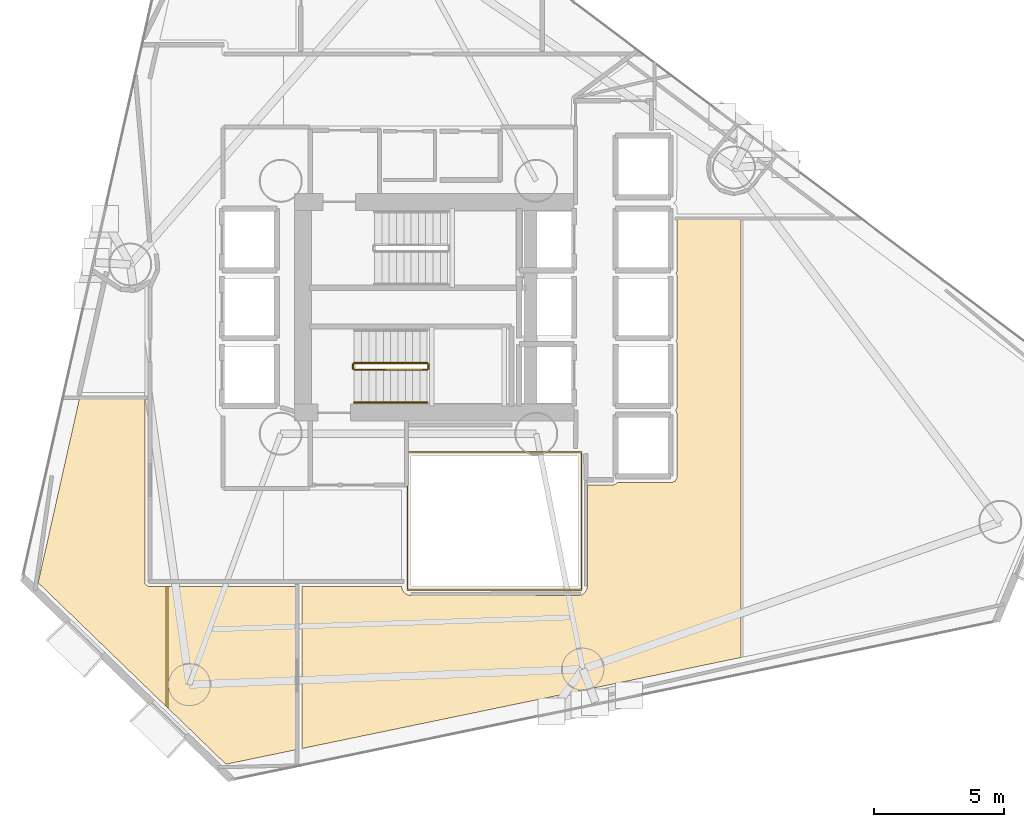
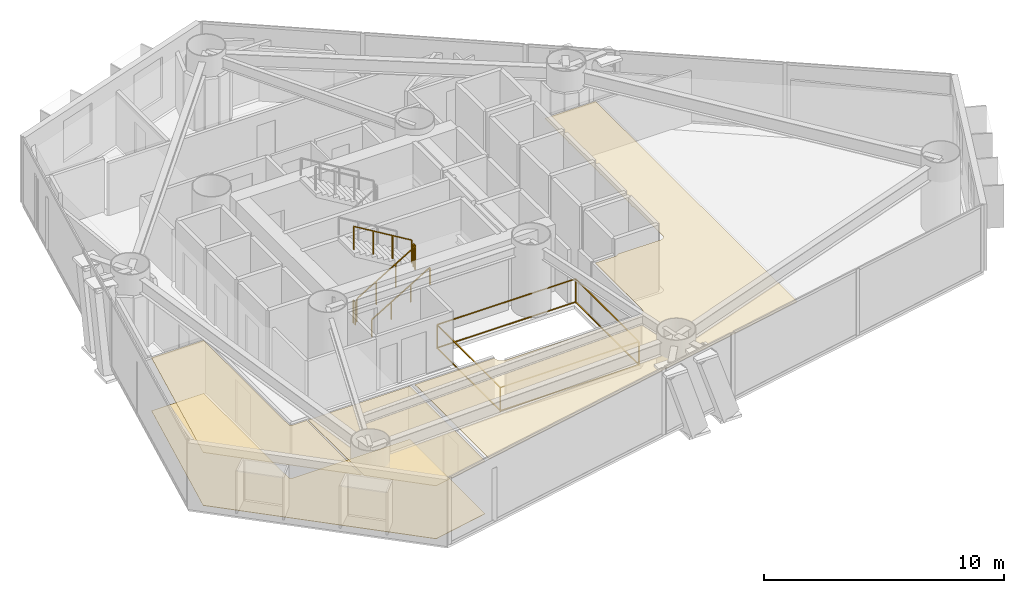
# One storey, part 19 of 22: 6 railings, 4 coverings.
"""IFC4 building model written with IfcOpenShell, lengths in metres."""

from ifc_helpers import new_model, si_unit, direction, frame, origin, origin_2d, place, context, subcontext, project, spatial, polyline, rectangle, outline, extrude, material, layer, layer_set, type_object, element, save


model = new_model("IFC4")

# Units and contexts
model_context = context("Model", 3, precision=1e-05, world=origin(), true_north=direction((0.0, 1.0)))
body_context = subcontext(model_context, "Body", "Model", "MODEL_VIEW")
ifc_project = project(units=[si_unit("LENGTHUNIT", "METRE"), si_unit("AREAUNIT", "SQUARE_METRE"), si_unit("VOLUMEUNIT", "CUBIC_METRE"), si_unit("PLANEANGLEUNIT", "RADIAN"), si_unit("MASSUNIT", "GRAM", prefix="KILO")], contexts=[model_context])

# Site, building, storey
site_placement = place(None, origin())
site = spatial("IfcSite", under=ifc_project, at=site_placement, CompositionType="ELEMENT")
building_placement = place(site_placement, origin())
building = spatial("IfcBuilding", under=site, at=building_placement, Name="Qianvela Tower", CompositionType="ELEMENT")
storey_placement = place(building_placement, frame((0.0, 0.0, 89.5)))
storey = spatial("IfcBuildingStorey", under=building, at=storey_placement, Name="L22", CompositionType="ELEMENT", Elevation=89.5)

# Coverings
ifc_material_1 = material(Name="Perforated Mineral Acoustic Ceiling Tile")
ifc_layer_1 = layer(ifc_material_1, 0.02490234375)
ifc_layer_set_1 = layer_set([ifc_layer_1], Name="Perforated Mineral Acoustic Ceiling Tile")
covering_type_1 = type_object("IfcCoveringType", Name="COV-CEIL-ACOUSTIC-25", PredefinedType="CEILING", material=ifc_layer_set_1)
covering_1_placement = place(storey_placement, frame((0.0, 0.0, 2.695068359375)))
element("IfcCovering", 1, at=covering_1_placement, inside=storey, type_object=covering_type_1, Name="L22 Acoustic Ceiling Bay 1 Quiet Desk Workspace L22-01", PredefinedType="CEILING", context=body_context, shape_type="SweptSolid", body=[
    extrude(outline(polyline([(23.396484375, 18.111572265625), (23.397705078125, 18.103759765625), (23.3994140625, 18.09619140625), (23.402099609375, 18.088623046875), (23.405517578125, 18.08154296875), (23.40966796875, 18.074951171875), (23.414306640625, 18.068603515625), (23.41943359375, 18.062744140625), (23.42529296875, 18.0576171875), (23.431640625, 18.052978515625), (23.505615234375, 18.00341796875), (23.51220703125, 17.99951171875), (23.519287109375, 17.99609375), (23.52685546875, 17.993408203125), (23.534423828125, 17.991455078125), (23.542236328125, 17.990478515625), (23.550048828125, 17.989990234375), (24.19775390625, 17.989990234375), (24.19775390625, 13.39599609375), (19.29541015625, 18.13427734375), (20.875, 25.177978515625), (23.39013671875, 25.177978515625), (23.39599609375, 18.119384765625), (23.396484375, 18.111572265625)])), origin(), (0.0, 0.0, 1.0), 0.02490234375),
])
covering_2_placement = place(storey_placement, frame((0.0, 0.0, 2.695068359375)))
element("IfcCovering", 2, at=covering_2_placement, inside=storey, type_object=covering_type_1, Name="L22 Acoustic Ceiling Bay 2 Quiet Desk Workspace L22-01", PredefinedType="CEILING", context=body_context, shape_type="SweptSolid", body=[
    extrude(outline(polyline([(29.177978515625, 17.989990234375), (29.177978515625, 11.725830078125), (26.500244140625, 11.170654296875), (24.277587890625, 13.31884765625), (24.277587890625, 17.989990234375), (29.177978515625, 17.989990234375)])), origin(), (0.0, 0.0, 1.0), 0.02490234375),
])
covering_3_placement = place(storey_placement, frame((0.0, 0.0, 2.695068359375)))
element("IfcCovering", 3, at=covering_3_placement, inside=storey, type_object=covering_type_1, Name="L22 Acoustic Ceiling Bay 1 Academic Cellular Office L22-02", PredefinedType="CEILING", context=body_context, shape_type="SweptSolid", body=[
    extrude(outline(polyline([(33.252197265625, 17.912353515625), (33.25341796875, 17.904296875), (33.25537109375, 17.896240234375), (33.258056640625, 17.888427734375), (33.261474609375, 17.881103515625), (33.31298828125, 17.78466796875), (33.31689453125, 17.77783203125), (33.32177734375, 17.771484375), (33.326904296875, 17.765869140625), (33.332763671875, 17.760498046875), (33.417236328125, 17.691162109375), (33.42431640625, 17.68603515625), (33.431884765625, 17.681640625), (33.440185546875, 17.677978515625), (33.448486328125, 17.675537109375), (33.58056640625, 17.642333984375), (33.5869140625, 17.64111328125), (33.593505859375, 17.640380859375), (33.60009765625, 17.639892578125), (40.0, 17.639892578125), (40.0078125, 17.640380859375), (40.015625, 17.6416015625), (40.122802734375, 17.662841796875), (40.13037109375, 17.664794921875), (40.1376953125, 17.66748046875), (40.14501953125, 17.6708984375), (40.151611328125, 17.6748046875), (40.242431640625, 17.735595703125), (40.248779296875, 17.740234375), (40.254638671875, 17.745361328125), (40.259765625, 17.751220703125), (40.264404296875, 17.757568359375), (40.3251953125, 17.848388671875), (40.3291015625, 17.85498046875), (40.33251953125, 17.8623046875), (40.335205078125, 17.86962890625), (40.337158203125, 17.877197265625), (40.3583984375, 17.984375), (40.359619140625, 17.9921875), (40.360107421875, 18.0), (40.360107421875, 21.889892578125), (41.367919921875, 21.890380859375), (41.375732421875, 21.890869140625), (41.383544921875, 21.891845703125), (41.39111328125, 21.893798828125), (41.3984375, 21.896484375), (41.405517578125, 21.89990234375), (41.45947265625, 21.9287109375), (41.46630859375, 21.932861328125), (41.472900390625, 21.9375), (41.478759765625, 21.943115234375), (41.48388671875, 21.948974609375), (41.48876953125, 21.955322265625), (41.492919921875, 21.96240234375), (41.49609375, 21.969482421875), (41.498779296875, 21.97705078125), (41.49951171875, 21.97998046875), (43.59375, 21.980712890625), (43.6015625, 21.981201171875), (43.609375, 21.982177734375), (43.616943359375, 21.984130859375), (43.624267578125, 21.98681640625), (43.699462890625, 22.017822265625), (43.70703125, 22.021484375), (43.71435546875, 22.02587890625), (43.72119140625, 22.03125), (43.727294921875, 22.037109375), (43.732666015625, 22.043701171875), (43.7373046875, 22.05078125), (43.785888671875, 22.131591796875), (43.7900390625, 22.13916015625), (43.793212890625, 22.147216796875), (43.79541015625, 22.155517578125), (43.796875, 22.1640625), (43.79736328125, 22.172607421875), (43.800048828125, 24.599853515625), (43.7998046875, 24.606689453125), (43.798828125, 24.613525390625), (43.79736328125, 24.620361328125), (43.79541015625, 24.626953125), (43.763427734375, 24.7158203125), (43.760498046875, 24.722900390625), (43.7568359375, 24.72998046875), (43.75244140625, 24.736572265625), (43.74755859375, 24.742431640625), (43.741943359375, 24.748046875), (43.73583984375, 24.753173828125), (43.735107421875, 24.753662109375), (43.7783203125, 24.811767578125), (43.782958984375, 24.81884765625), (43.786865234375, 24.826416015625), (43.789794921875, 24.834228515625), (43.7919921875, 24.84228515625), (43.79345703125, 24.8505859375), (43.7939453125, 24.859130859375), (43.800048828125, 27.2998046875), (43.799560546875, 27.307861328125), (43.79833984375, 27.315673828125), (43.79638671875, 27.323486328125), (43.793701171875, 27.3310546875), (43.7646484375, 27.39990234375), (43.793701171875, 27.468994140625), (43.79638671875, 27.476318359375), (43.79833984375, 27.484130859375), (43.799560546875, 27.491943359375), (43.800048828125, 27.5), (43.800048828125, 29.89990234375), (43.799560546875, 29.907958984375), (43.79833984375, 29.915771484375), (43.79638671875, 29.923583984375), (43.793701171875, 29.93115234375), (43.7646484375, 30.0), (43.793701171875, 30.06884765625), (43.79638671875, 30.076416015625), (43.79833984375, 30.084228515625), (43.799560546875, 30.092041015625), (43.800048828125, 30.10009765625), (43.800048828125, 32.05810546875), (46.25439453125, 32.05810546875), (46.25439453125, 15.26611328125), (29.422119140625, 11.7763671875), (29.422119140625, 17.989990234375), (33.24609375, 17.989990234375), (33.252197265625, 17.912353515625)])), origin(), (0.0, 0.0, 1.0), 0.02490234375),
])
ifc_material_2 = material(Name="Engineered Acoustic Oak Timber Flooring", Category="wood")
ifc_layer_2 = layer(ifc_material_2, 0.02001953125)
ifc_layer_set_2 = layer_set([ifc_layer_2], Name="Engineered Acoustic Oak Timber Flooring")
covering_type_2 = type_object("IfcCoveringType", Name="COV-FLOOR-OAK-20", PredefinedType="FLOORING", material=ifc_layer_set_2)
covering_4_placement = place(storey_placement, origin())
element("IfcCovering", 4, at=covering_4_placement, inside=storey, type_object=covering_type_2, Name="L22 Finish Flooring Quiet Desk Workspace L22-01", PredefinedType="FLOORING", context=body_context, shape_type="SweptSolid", body=[
    extrude(outline(polyline([(23.39599609375, 18.119384765625), (23.396484375, 18.111572265625), (23.397705078125, 18.103759765625), (23.3994140625, 18.09619140625), (23.402099609375, 18.088623046875), (23.405517578125, 18.08154296875), (23.40966796875, 18.074951171875), (23.414306640625, 18.068603515625), (23.41943359375, 18.062744140625), (23.42529296875, 18.0576171875), (23.431640625, 18.052978515625), (23.505615234375, 18.00341796875), (23.51220703125, 17.99951171875), (23.519287109375, 17.99609375), (23.52685546875, 17.993408203125), (23.534423828125, 17.991455078125), (23.542236328125, 17.990478515625), (23.550048828125, 17.989990234375), (29.177978515625, 17.989990234375), (29.177978515625, 11.725830078125), (26.500244140625, 11.170654296875), (19.29541015625, 18.13427734375), (20.875, 25.177978515625), (23.39013671875, 25.177978515625), (23.39599609375, 18.119384765625)])), origin(), (0.0, 0.0, 1.0), 0.02001953125),
])

# Railings
ifc_material_3 = material(Name="Laminated Safety Glass and Stainless Steel 316", Category="steel")
railing_type_1 = type_object("IfcRailingType", Name="RL-ATRIUM-GUARD-1250", PredefinedType="GUARDRAIL", material=ifc_material_3)
railing_1_placement = place(storey_placement, frame((33.4599609375, 17.860107421875, 0.0)))
element("IfcRailing", 5, at=railing_1_placement, inside=storey, type_object=railing_type_1, Name="L22 Atrium Edge Guardrail 1", PredefinedType="GUARDRAIL", context=body_context, shape_type="SweptSolid", body=[
    extrude(rectangle(XDim=0.050048828125, YDim=0.0400390625, at=origin_2d()), frame((0.0, 0.0, 1.22998046875), z_axis=(0.0, 1.0, 0.0), x_axis=(-1.0, 0.0, 0.0)), (0.0, 0.0, 1.0), 5.27978515625),
    extrude(rectangle(XDim=0.050048828125, YDim=0.0400390625, at=origin_2d()), frame((0.0, 0.0, 0.050048828125), z_axis=(0.0, 1.0, 0.0), x_axis=(-1.0, 0.0, 0.0)), (0.0, 0.0, 1.0), 5.27978515625),
    extrude(rectangle(XDim=0.050048828125, YDim=0.0400390625, at=origin_2d()), frame((0.0, 5.27978515625, 1.22998046875), z_axis=(1.0, 0.0, 0.0), x_axis=(0.0, 1.0, 0.0)), (0.0, 0.0, 1.0), 6.679931640625),
    extrude(rectangle(XDim=0.050048828125, YDim=0.0400390625, at=origin_2d()), frame((0.0, 5.27978515625, 0.050048828125), z_axis=(1.0, 0.0, 0.0), x_axis=(0.0, 1.0, 0.0)), (0.0, 0.0, 1.0), 6.679931640625),
    extrude(rectangle(XDim=0.050048828125, YDim=0.0400390625, at=origin_2d()), frame((6.679931640625, 5.27978515625, 1.22998046875), z_axis=(0.0, -1.0, 0.0), x_axis=(1.0, 0.0, 0.0)), (0.0, 0.0, 1.0), 5.27978515625),
    extrude(rectangle(XDim=0.050048828125, YDim=0.0400390625, at=origin_2d()), frame((6.679931640625, 5.27978515625, 0.050048828125), z_axis=(0.0, -1.0, 0.0), x_axis=(1.0, 0.0, 0.0)), (0.0, 0.0, 1.0), 5.27978515625),
    extrude(rectangle(XDim=0.050048828125, YDim=0.0400390625, at=origin_2d()), frame((6.679931640625, 0.0, 1.22998046875), z_axis=(-1.0, 0.0, 0.0), x_axis=(0.0, -1.0, 0.0)), (0.0, 0.0, 1.0), 6.679931640625),
    extrude(rectangle(XDim=0.050048828125, YDim=0.0400390625, at=origin_2d()), frame((6.679931640625, 0.0, 0.050048828125), z_axis=(-1.0, 0.0, 0.0), x_axis=(0.0, -1.0, 0.0)), (0.0, 0.0, 1.0), 6.679931640625),
    extrude(rectangle(XDim=0.050048828125, YDim=0.050048828125, at=origin_2d()), origin(), (0.0, 0.0, 1.0), 1.2099609375),
    extrude(rectangle(XDim=0.050048828125, YDim=0.050048828125, at=origin_2d()), frame((0.0, 5.27978515625, 0.0)), (0.0, 0.0, 1.0), 1.2099609375),
    extrude(rectangle(XDim=0.050048828125, YDim=0.050048828125, at=origin_2d()), frame((6.679931640625, 5.27978515625, 0.0)), (0.0, 0.0, 1.0), 1.2099609375),
    extrude(rectangle(XDim=0.050048828125, YDim=0.050048828125, at=origin_2d()), frame((6.679931640625, 0.0, 0.0)), (0.0, 0.0, 1.0), 1.2099609375),
])
ifc_material_4 = material(Name="Painted Tubular Steel Q355B", Category="steel")
railing_type_2 = type_object("IfcRailingType", Name="RL-STAIR-GUARD-1200", PredefinedType="GUARDRAIL", material=ifc_material_4)
railing_2_placement = place(storey_placement, frame((31.419921875, 26.300048828125, 0.168212890625)))
element("IfcRailing", 6, at=railing_2_placement, inside=storey, type_object=railing_type_2, Name="L22 ST-2 stair guard 1", PredefinedType="GUARDRAIL", context=body_context, shape_type="SweptSolid", body=[
    extrude(rectangle(XDim=0.050048828125, YDim=0.0400390625, at=origin_2d()), frame((0.0, 0.0, 1.179931640625), z_axis=(0.857242210791, 0.0, 0.514913383045), x_axis=(0.0, 1.0, 0.0)), (0.0, 0.0, 1.0), 3.266357421875),
    extrude(rectangle(XDim=0.050048828125, YDim=0.050048828125, at=origin_2d()), origin(), (0.0, 0.0, 1.0), 1.159912109375),
    extrude(rectangle(XDim=0.050048828125, YDim=0.050048828125, at=origin_2d()), frame((0.933349609375, 0.0, 0.560546875)), (0.0, 0.0, 1.0), 1.159912109375),
    extrude(rectangle(XDim=0.050048828125, YDim=0.050048828125, at=origin_2d()), frame((1.86669921875, 0.0, 1.121337890625)), (0.0, 0.0, 1.0), 1.159912109375),
    extrude(rectangle(XDim=0.050048828125, YDim=0.050048828125, at=origin_2d()), frame((2.800048828125, 0.0, 1.681884765625)), (0.0, 0.0, 1.0), 1.159912109375),
])
railing_3_placement = place(storey_placement, frame((34.27001953125, 26.35009765625, 1.85009765625)))
element("IfcRailing", 7, at=railing_3_placement, inside=storey, type_object=railing_type_2, Name="L22 ST-2 stair guard 2", PredefinedType="GUARDRAIL", context=body_context, shape_type="SweptSolid", body=[
    extrude(rectangle(XDim=0.050048828125, YDim=0.0400390625, at=origin_2d()), frame((0.0, 0.0, 1.179931640625), z_axis=(0.0, 1.0, 0.0), x_axis=(-1.0, 0.0, 0.0)), (0.0, 0.0, 1.0), 0.159912109375),
    extrude(rectangle(XDim=0.050048828125, YDim=0.050048828125, at=origin_2d()), origin(), (0.0, 0.0, 1.0), 1.159912109375),
    extrude(rectangle(XDim=0.050048828125, YDim=0.050048828125, at=origin_2d()), frame((0.0, 0.159912109375, 0.0)), (0.0, 0.0, 1.0), 1.159912109375),
])
railing_4_placement = place(storey_placement, frame((34.219970703125, 26.56005859375, 2.01806640625)))
element("IfcRailing", 8, at=railing_4_placement, inside=storey, type_object=railing_type_2, Name="L22 ST-2 stair guard 3", PredefinedType="GUARDRAIL", context=body_context, shape_type="SweptSolid", body=[
    extrude(rectangle(XDim=0.050048828125, YDim=0.0400390625, at=origin_2d()), frame((0.0, 0.0, 1.179931640625), z_axis=(-0.857242210791, 0.0, 0.514913383045), x_axis=(0.0, -1.0, 0.0)), (0.0, 0.0, 1.0), 3.266357421875),
    extrude(rectangle(XDim=0.050048828125, YDim=0.050048828125, at=origin_2d()), origin(), (0.0, 0.0, 1.0), 1.159912109375),
    extrude(rectangle(XDim=0.050048828125, YDim=0.050048828125, at=origin_2d()), frame((-0.933349609375, 0.0, 0.560546875)), (0.0, 0.0, 1.0), 1.159912109375),
    extrude(rectangle(XDim=0.050048828125, YDim=0.050048828125, at=origin_2d()), frame((-1.86669921875, 0.0, 1.121337890625)), (0.0, 0.0, 1.0), 1.159912109375),
    extrude(rectangle(XDim=0.050048828125, YDim=0.050048828125, at=origin_2d()), frame((-2.800048828125, 0.0, 1.681884765625)), (0.0, 0.0, 1.0), 1.159912109375),
])
railing_5_placement = place(storey_placement, frame((31.3701171875, 26.35009765625, 0.0)))
element("IfcRailing", 9, at=railing_5_placement, inside=storey, type_object=railing_type_2, Name="L22 ST-2 stair guard 4", PredefinedType="GUARDRAIL", context=body_context, shape_type="SweptSolid", body=[
    extrude(rectangle(XDim=0.050048828125, YDim=0.0400390625, at=origin_2d()), frame((0.0, 0.0, 1.179931640625), z_axis=(0.0, 1.0, 0.0), x_axis=(-1.0, 0.0, 0.0)), (0.0, 0.0, 1.0), 0.159912109375),
    extrude(rectangle(XDim=0.050048828125, YDim=0.050048828125, at=origin_2d()), origin(), (0.0, 0.0, 1.0), 1.159912109375),
    extrude(rectangle(XDim=0.050048828125, YDim=0.050048828125, at=origin_2d()), frame((0.0, 0.159912109375, 0.0)), (0.0, 0.0, 1.0), 1.159912109375),
])
ifc_material_5 = material(Name="Brushed Stainless Steel 304", Category="steel")
railing_type_3 = type_object("IfcRailingType", Name="RL-STAIR-HANDRAIL-900", PredefinedType="HANDRAIL", material=ifc_material_5)
railing_6_placement = place(storey_placement, frame((31.419921875, 25.050048828125, 0.168212890625)))
element("IfcRailing", 10, at=railing_6_placement, inside=storey, type_object=railing_type_3, Name="L22 ST-2 stair handrail 1", PredefinedType="HANDRAIL", context=body_context, shape_type="SweptSolid", body=[
    extrude(rectangle(XDim=0.050048828125, YDim=0.0400390625, at=origin_2d()), frame((0.0, 0.0, 0.8798828125), z_axis=(0.857242210791, 0.0, 0.514913383045), x_axis=(0.0, 1.0, 0.0)), (0.0, 0.0, 1.0), 3.266357421875),
    extrude(rectangle(XDim=0.050048828125, YDim=0.050048828125, at=origin_2d()), origin(), (0.0, 0.0, 1.0), 0.85986328125),
    extrude(rectangle(XDim=0.050048828125, YDim=0.050048828125, at=origin_2d()), frame((0.933349609375, 0.0, 0.560546875)), (0.0, 0.0, 1.0), 0.85986328125),
    extrude(rectangle(XDim=0.050048828125, YDim=0.050048828125, at=origin_2d()), frame((1.86669921875, 0.0, 1.121337890625)), (0.0, 0.0, 1.0), 0.85986328125),
    extrude(rectangle(XDim=0.050048828125, YDim=0.050048828125, at=origin_2d()), frame((2.800048828125, 0.0, 1.681884765625)), (0.0, 0.0, 1.0), 0.85986328125),
])

save(model, "model.ifc")
